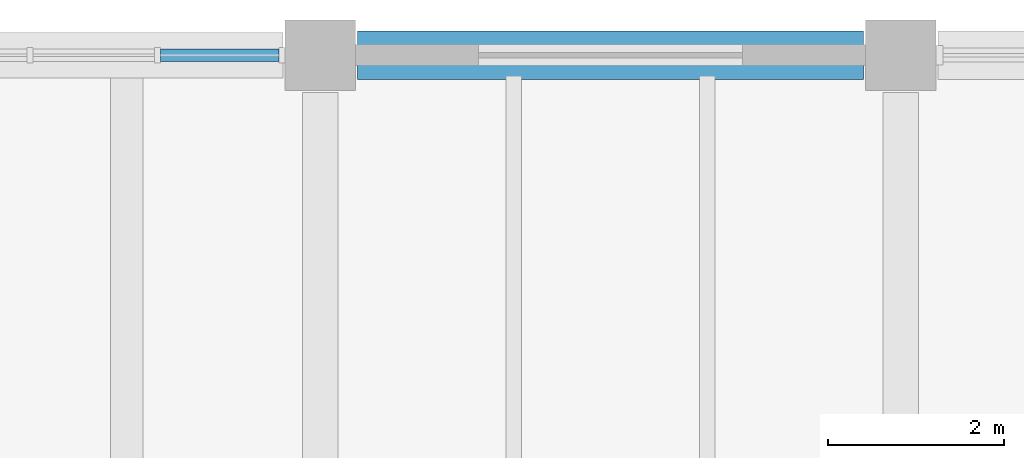
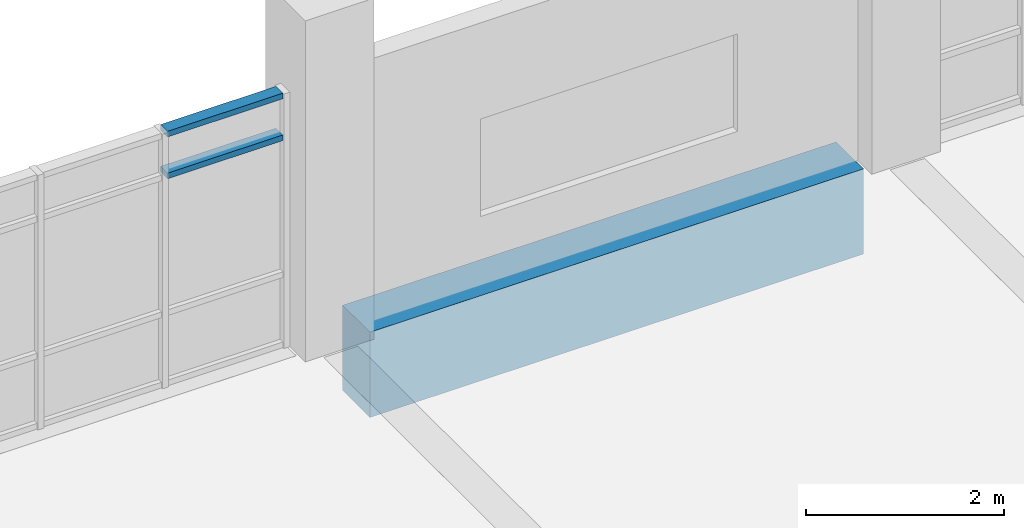
# One storey, part 26 of 67: 2 members, 1 beam, 1 element without a shape of its own.
"""IFC4 building model written with IfcOpenShell, lengths in metres."""

from ifc_helpers import new_model, si_unit, direction, frame, origin, origin_2d, place, context, subcontext, project, spatial, rectangle, extrude, material, material_profile, profile_set, type_object, element, aggregate, save


model = new_model("IFC4")

# Units and contexts
model_context = context("Model", 3, precision=1e-05, world=origin(), true_north=direction((0.0, 1.0)))
body_context = subcontext(model_context, "Body", "Model", "MODEL_VIEW")
ifc_project = project(units=[si_unit("LENGTHUNIT", "METRE"), si_unit("AREAUNIT", "SQUARE_METRE"), si_unit("VOLUMEUNIT", "CUBIC_METRE"), si_unit("PLANEANGLEUNIT", "RADIAN"), si_unit("MASSUNIT", "GRAM", prefix="KILO")], contexts=[model_context])

# Site, building, storey
site_placement = place(None, origin())
site = spatial("IfcSite", under=ifc_project, at=site_placement, CompositionType="ELEMENT")
building_placement = place(site_placement, origin())
building = spatial("IfcBuilding", under=site, at=building_placement, Name="Ciguamira Faculty of Natural Sciences", CompositionType="ELEMENT")
storey_placement = place(building_placement, frame((0.0, 0.0, 8.39990234375)))
storey = spatial("IfcBuildingStorey", under=building, at=storey_placement, Name="L02", CompositionType="ELEMENT", Elevation=8.39990234375)

# Curtain wall, members
ifc_material_1 = material(Name="Anodized aluminium curtain wall", Category="aluminium")
curtain_wall_type = type_object("IfcCurtainWallType", Name="CurtainWall_CW-11", PredefinedType="USERDEFINED", material=ifc_material_1)
curtain_wall_placement = place(storey_placement, origin())
curtain_wall = element("IfcCurtainWall", 1, at=curtain_wall_placement, inside=storey, type_object=curtain_wall_type, Name="L02 unitised curtain wall 0071", ObjectType="UNITISED CURTAIN WALL", PredefinedType="USERDEFINED")
ifc_material_2 = material(Name="Anodized aluminium transom", Category="aluminium")
ifc_material_profile_1 = material_profile(ifc_material_2, rectangle(XDim=0.070068359375, YDim=0.139892578125, at=origin_2d()), Name="ALU-TRN-70X140")
ifc_profile_set_1 = profile_set([ifc_material_profile_1], Name="Anodized aluminium transom")
member_type = type_object("IfcMemberType", Name="CWTransom_CWT-02", PredefinedType="USERDEFINED", material=ifc_profile_set_1)
member_1_placement = place(storey_placement, frame((62.0849609375, 115.0, 2.585205078125), z_axis=(1.0, 0.0, 0.0), x_axis=(0.0, 0.0, 1.0)))
member_1 = element("IfcMember", 2, at=member_1_placement, type_object=member_type, Name="CW-11 transom 4.3", ObjectType="TRANSOM", PredefinedType="USERDEFINED", context=body_context, shape_type="SweptSolid", body=[
    extrude(rectangle(XDim=0.070068359375, YDim=0.139892578125, at=origin_2d()), origin(), (0.0, 0.0, 1.0), 1.344970703125),
])
member_2_placement = place(storey_placement, frame((62.0849609375, 115.0, 3.10009765625), z_axis=(1.0, 0.0, 0.0), x_axis=(0.0, 0.0, 1.0)))
member_2 = element("IfcMember", 3, at=member_2_placement, type_object=member_type, Name="CW-11 transom 4.4", ObjectType="TRANSOM", PredefinedType="USERDEFINED", context=body_context, shape_type="SweptSolid", body=[
    extrude(rectangle(XDim=0.070068359375, YDim=0.139892578125, at=origin_2d()), origin(), (0.0, 0.0, 1.0), 1.344970703125),
])
aggregate(curtain_wall, [member_1, member_2])

# Beam
ifc_material_3 = material(Name="Concrete C40/50", Category="concrete")
ifc_material_profile_2 = material_profile(ifc_material_3, rectangle(XDim=0.550048828125, YDim=1.050048828125, at=origin_2d()), Name="RC-BM-550X1050")
ifc_profile_set_2 = profile_set([ifc_material_profile_2], Name="Concrete C40/50")
beam_type = type_object("IfcBeamType", Name="RCBeam_BG-01_RC-BM-550X1050", PredefinedType="BEAM", material=ifc_profile_set_2)
beam_placement = place(storey_placement, frame((64.324951171875, 115.0, -0.52490234375), z_axis=(1.0, 0.0, 0.0), x_axis=(0.0, 1.0, 0.0)))
element("IfcBeam", 4, at=beam_placement, inside=storey, type_object=beam_type, Name="L02 RC girder EW-0867", PredefinedType="BEAM", context=body_context, shape_type="SweptSolid", body=[
    extrude(rectangle(XDim=0.550048828125, YDim=1.050048828125, at=origin_2d()), origin(), (0.0, 0.0, 1.0), 5.75),
])

save(model, "model.ifc")
